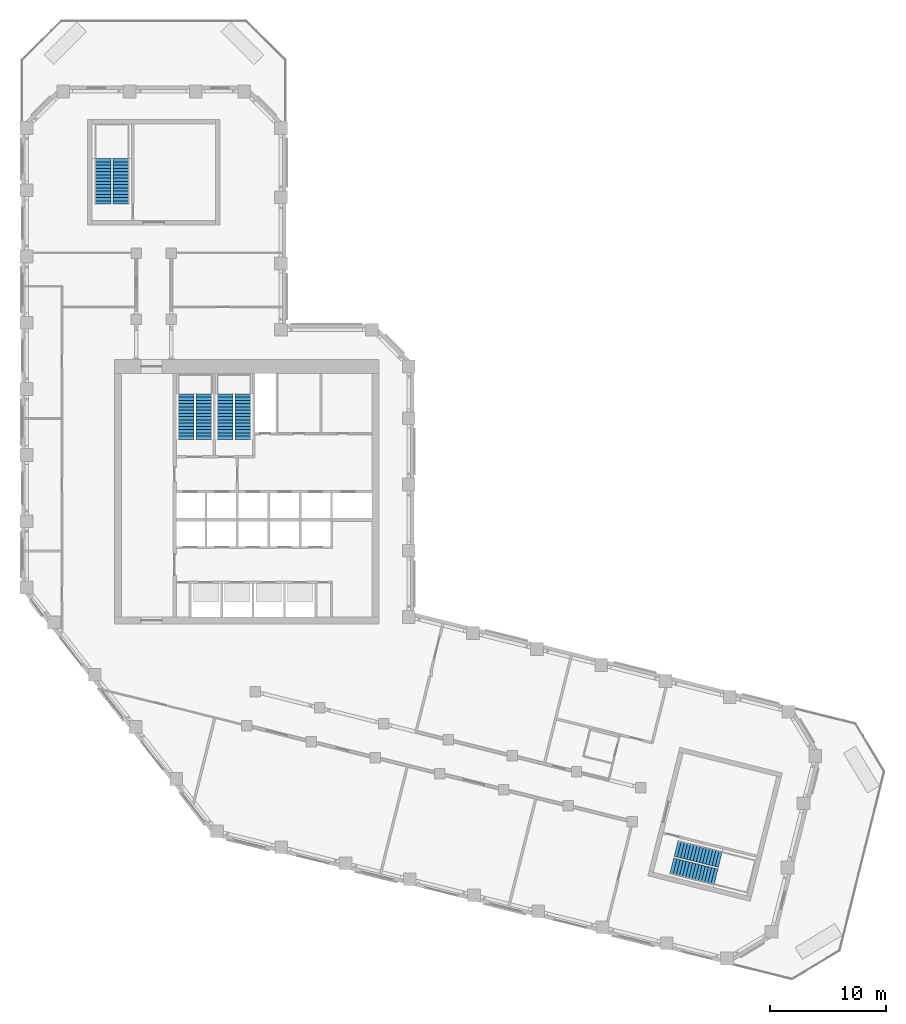
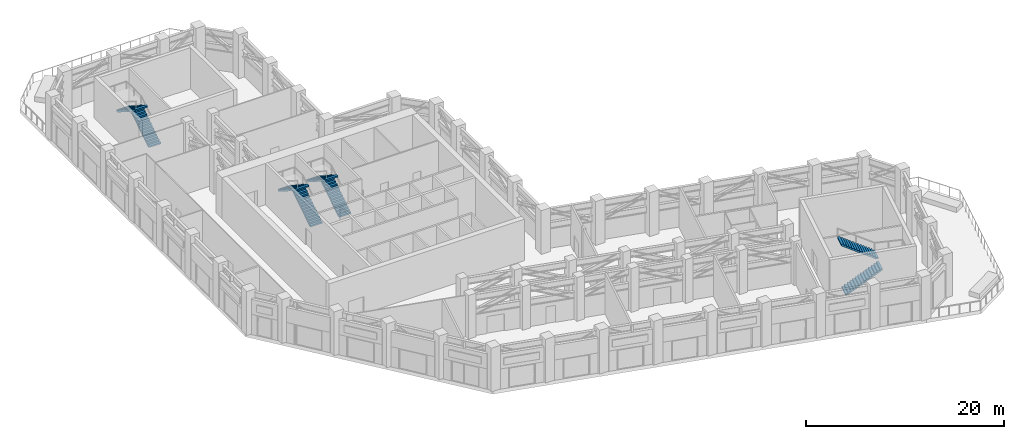
# One storey, part 18 of 21: 8 stair flights, 4 elements without a shape of their own.
"""IFC4 building model written with IfcOpenShell, lengths in metres."""

from ifc_helpers import new_model, si_unit, direction, frame, origin, place, context, subcontext, project, spatial, polyline, outline, extrude, material, type_object, element, aggregate, save


model = new_model("IFC4")

# Units and contexts
model_context = context("Model", 3, precision=1e-05, world=origin(), true_north=direction((0.0, 1.0)))
body_context = subcontext(model_context, "Body", "Model", "MODEL_VIEW")
ifc_project = project(units=[si_unit("LENGTHUNIT", "METRE"), si_unit("AREAUNIT", "SQUARE_METRE"), si_unit("VOLUMEUNIT", "CUBIC_METRE"), si_unit("PLANEANGLEUNIT", "RADIAN"), si_unit("MASSUNIT", "GRAM", prefix="KILO")], contexts=[model_context])

# Site, building, storey
site_placement = place(None, origin())
site = spatial("IfcSite", under=ifc_project, at=site_placement, CompositionType="ELEMENT")
building_placement = place(site_placement, origin())
building = spatial("IfcBuilding", under=site, at=building_placement, Name="Meshkara Civic Tower", CompositionType="ELEMENT")
storey_placement = place(building_placement, frame((0.0, 0.0, 284.39990234375)))
storey = spatial("IfcBuildingStorey", under=building, at=storey_placement, Name="L65", CompositionType="ELEMENT", Elevation=284.39990234375)

# Stair, stair flights
ifc_material_1 = material(Name="Precast concrete C40/50", Category="concrete")
stair_type = type_object("IfcStairType", Name="Exit stair half-turn 30 risers precast", PredefinedType="HALF_TURN_STAIR", material=ifc_material_1)
stair_1_placement = place(storey_placement, origin())
stair_1 = element("IfcStair", 1, at=stair_1_placement, inside=storey, type_object=stair_type, Name="L65 exit stair 1", PredefinedType="HALF_TURN_STAIR")
ifc_material_2 = material(Name="Precast concrete C40/50", Category="concrete")
stair_flight_type = type_object("IfcStairFlightType", Name="Exit stair flight 15 risers precast", PredefinedType="STRAIGHT", material=ifc_material_2)
stair_flight_1_placement = place(storey_placement, frame((15.72509765625, 30.0, 0.0), z_axis=(0.0, 0.0, 1.0), x_axis=(0.0, 1.0, 0.0)))
stair_flight_1 = element("IfcStairFlight", 2, at=stair_flight_1_placement, type_object=stair_flight_type, Name="ST1 flight 1", NumberOfRisers=15, NumberOfTreads=14, PredefinedType="STRAIGHT", RiserHeight=0.18, TreadLength=0.28, context=body_context, shape_type="SweptSolid", body=[
    extrude(outline(polyline([(0.0, 0.0), (0.0, 0.179931640625), (0.280029296875, 0.179931640625), (0.280029296875, 0.360107421875), (0.56005859375, 0.360107421875), (0.56005859375, 0.5400390625), (0.840087890625, 0.5400390625), (0.840087890625, 0.719970703125), (1.1201171875, 0.719970703125), (1.1201171875, 0.89990234375), (1.39990234375, 0.89990234375), (1.39990234375, 1.080078125), (1.679931640625, 1.080078125), (1.679931640625, 1.260009765625), (1.9599609375, 1.260009765625), (1.9599609375, 1.43994140625), (2.239990234375, 1.43994140625), (2.239990234375, 1.6201171875), (2.52001953125, 1.6201171875), (2.52001953125, 1.800048828125), (2.800048828125, 1.800048828125), (2.800048828125, 1.97998046875), (3.080078125, 1.97998046875), (3.080078125, 2.159912109375), (3.360107421875, 2.159912109375), (3.360107421875, 2.340087890625), (3.639892578125, 2.340087890625), (3.639892578125, 2.52001953125), (3.919921875, 2.52001953125), (3.919921875, 2.699951171875), (3.919921875, 2.341796875), (0.277099609375, 0.0), (0.0, 0.0)])), frame((0.0, 0.699951171875, 0.0), z_axis=(0.0, -1.0, 0.0), x_axis=(1.0, 0.0, 0.0)), (0.0, 0.0, 1.0), 1.39990234375),
])
stair_flight_2_placement = place(storey_placement, frame((14.175048828125, 33.919921875, 2.7001953125), z_axis=(0.0, 0.0, 1.0), x_axis=(0.0, -1.0, 0.0)))
stair_flight_2 = element("IfcStairFlight", 3, at=stair_flight_2_placement, type_object=stair_flight_type, Name="ST1 flight 2", NumberOfRisers=15, NumberOfTreads=14, PredefinedType="STRAIGHT", RiserHeight=0.18, TreadLength=0.28, context=body_context, shape_type="SweptSolid", body=[
    extrude(outline(polyline([(0.0, 0.0), (0.0, 0.179931640625), (0.280029296875, 0.179931640625), (0.280029296875, 0.360107421875), (0.56005859375, 0.360107421875), (0.56005859375, 0.5400390625), (0.840087890625, 0.5400390625), (0.840087890625, 0.719970703125), (1.1201171875, 0.719970703125), (1.1201171875, 0.89990234375), (1.39990234375, 0.89990234375), (1.39990234375, 1.080078125), (1.679931640625, 1.080078125), (1.679931640625, 1.260009765625), (1.9599609375, 1.260009765625), (1.9599609375, 1.43994140625), (2.239990234375, 1.43994140625), (2.239990234375, 1.6201171875), (2.52001953125, 1.6201171875), (2.52001953125, 1.800048828125), (2.800048828125, 1.800048828125), (2.800048828125, 1.97998046875), (3.080078125, 1.97998046875), (3.080078125, 2.159912109375), (3.360107421875, 2.159912109375), (3.360107421875, 2.340087890625), (3.639892578125, 2.340087890625), (3.639892578125, 2.52001953125), (3.919921875, 2.52001953125), (3.919921875, 2.699951171875), (3.919921875, 2.341796875), (0.277099609375, 0.0), (0.0, 0.0)])), frame((0.0, 0.699951171875, 0.0), z_axis=(0.0, -1.0, 0.0), x_axis=(1.0, 0.0, 0.0)), (0.0, 0.0, 1.0), 1.39990234375),
])
aggregate(stair_1, [stair_flight_1, stair_flight_2])

stair_2_placement = place(storey_placement, origin())
stair_2 = element("IfcStair", 4, at=stair_2_placement, inside=storey, type_object=stair_type, Name="L65 exit stair 2", PredefinedType="HALF_TURN_STAIR")
stair_flight_3_placement = place(storey_placement, frame((19.074951171875, 30.0, 0.0), z_axis=(0.0, 0.0, 1.0), x_axis=(0.0, 1.0, 0.0)))
stair_flight_3 = element("IfcStairFlight", 5, at=stair_flight_3_placement, type_object=stair_flight_type, Name="ST2 flight 1", NumberOfRisers=15, NumberOfTreads=14, PredefinedType="STRAIGHT", RiserHeight=0.18, TreadLength=0.28, context=body_context, shape_type="SweptSolid", body=[
    extrude(outline(polyline([(0.0, 0.0), (0.0, 0.179931640625), (0.280029296875, 0.179931640625), (0.280029296875, 0.360107421875), (0.56005859375, 0.360107421875), (0.56005859375, 0.5400390625), (0.840087890625, 0.5400390625), (0.840087890625, 0.719970703125), (1.1201171875, 0.719970703125), (1.1201171875, 0.89990234375), (1.39990234375, 0.89990234375), (1.39990234375, 1.080078125), (1.679931640625, 1.080078125), (1.679931640625, 1.260009765625), (1.9599609375, 1.260009765625), (1.9599609375, 1.43994140625), (2.239990234375, 1.43994140625), (2.239990234375, 1.6201171875), (2.52001953125, 1.6201171875), (2.52001953125, 1.800048828125), (2.800048828125, 1.800048828125), (2.800048828125, 1.97998046875), (3.080078125, 1.97998046875), (3.080078125, 2.159912109375), (3.360107421875, 2.159912109375), (3.360107421875, 2.340087890625), (3.639892578125, 2.340087890625), (3.639892578125, 2.52001953125), (3.919921875, 2.52001953125), (3.919921875, 2.699951171875), (3.919921875, 2.341796875), (0.277099609375, 0.0), (0.0, 0.0)])), frame((0.0, 0.699951171875, 0.0), z_axis=(0.0, -1.0, 0.0), x_axis=(1.0, 0.0, 0.0)), (0.0, 0.0, 1.0), 1.39990234375),
])
stair_flight_4_placement = place(storey_placement, frame((17.52490234375, 33.919921875, 2.7001953125), z_axis=(0.0, 0.0, 1.0), x_axis=(0.0, -1.0, 0.0)))
stair_flight_4 = element("IfcStairFlight", 6, at=stair_flight_4_placement, type_object=stair_flight_type, Name="ST2 flight 2", NumberOfRisers=15, NumberOfTreads=14, PredefinedType="STRAIGHT", RiserHeight=0.18, TreadLength=0.28, context=body_context, shape_type="SweptSolid", body=[
    extrude(outline(polyline([(0.0, 0.0), (0.0, 0.179931640625), (0.280029296875, 0.179931640625), (0.280029296875, 0.360107421875), (0.56005859375, 0.360107421875), (0.56005859375, 0.5400390625), (0.840087890625, 0.5400390625), (0.840087890625, 0.719970703125), (1.1201171875, 0.719970703125), (1.1201171875, 0.89990234375), (1.39990234375, 0.89990234375), (1.39990234375, 1.080078125), (1.679931640625, 1.080078125), (1.679931640625, 1.260009765625), (1.9599609375, 1.260009765625), (1.9599609375, 1.43994140625), (2.239990234375, 1.43994140625), (2.239990234375, 1.6201171875), (2.52001953125, 1.6201171875), (2.52001953125, 1.800048828125), (2.800048828125, 1.800048828125), (2.800048828125, 1.97998046875), (3.080078125, 1.97998046875), (3.080078125, 2.159912109375), (3.360107421875, 2.159912109375), (3.360107421875, 2.340087890625), (3.639892578125, 2.340087890625), (3.639892578125, 2.52001953125), (3.919921875, 2.52001953125), (3.919921875, 2.699951171875), (3.919921875, 2.341796875), (0.277099609375, 0.0), (0.0, 0.0)])), frame((0.0, 0.699951171875, 0.0), z_axis=(0.0, -1.0, 0.0), x_axis=(1.0, 0.0, 0.0)), (0.0, 0.0, 1.0), 1.39990234375),
])
aggregate(stair_2, [stair_flight_3, stair_flight_4])

stair_3_placement = place(storey_placement, origin())
stair_3 = element("IfcStair", 7, at=stair_3_placement, inside=storey, type_object=stair_type, Name="L65 exit stair A from L65", PredefinedType="HALF_TURN_STAIR")
stair_flight_5_placement = place(storey_placement, frame((8.574951171875, 50.27001953125, 0.0), z_axis=(0.0, 0.0, 1.0), x_axis=(0.0, 1.0, 0.0)))
stair_flight_5 = element("IfcStairFlight", 8, at=stair_flight_5_placement, type_object=stair_flight_type, Name="ESA5 flight 1", NumberOfRisers=15, NumberOfTreads=14, PredefinedType="STRAIGHT", RiserHeight=0.18, TreadLength=0.28, context=body_context, shape_type="SweptSolid", body=[
    extrude(outline(polyline([(0.0, 0.0), (0.0, 0.179931640625), (0.280029296875, 0.179931640625), (0.280029296875, 0.360107421875), (0.56005859375, 0.360107421875), (0.56005859375, 0.5400390625), (0.840087890625, 0.5400390625), (0.840087890625, 0.719970703125), (1.1201171875, 0.719970703125), (1.1201171875, 0.89990234375), (1.39990234375, 0.89990234375), (1.39990234375, 1.080078125), (1.679931640625, 1.080078125), (1.679931640625, 1.260009765625), (1.9599609375, 1.260009765625), (1.9599609375, 1.43994140625), (2.239990234375, 1.43994140625), (2.239990234375, 1.6201171875), (2.52001953125, 1.6201171875), (2.52001953125, 1.800048828125), (2.800048828125, 1.800048828125), (2.800048828125, 1.97998046875), (3.080078125, 1.97998046875), (3.080078125, 2.159912109375), (3.360107421875, 2.159912109375), (3.360107421875, 2.340087890625), (3.639892578125, 2.340087890625), (3.639892578125, 2.52001953125), (3.919921875, 2.52001953125), (3.919921875, 2.699951171875), (3.919921875, 2.341796875), (0.277099609375, 0.0), (0.0, 0.0)])), frame((0.0, 0.699951171875, 0.0), z_axis=(0.0, -1.0, 0.0), x_axis=(1.0, 0.0, 0.0)), (0.0, 0.0, 1.0), 1.39990234375),
])
stair_flight_6_placement = place(storey_placement, frame((7.02490234375, 54.18994140625, 2.7001953125), z_axis=(0.0, 0.0, 1.0), x_axis=(0.0, -1.0, 0.0)))
stair_flight_6 = element("IfcStairFlight", 9, at=stair_flight_6_placement, type_object=stair_flight_type, Name="ESA5 flight 2", NumberOfRisers=15, NumberOfTreads=14, PredefinedType="STRAIGHT", RiserHeight=0.18, TreadLength=0.28, context=body_context, shape_type="SweptSolid", body=[
    extrude(outline(polyline([(0.0, 0.0), (0.0, 0.179931640625), (0.280029296875, 0.179931640625), (0.280029296875, 0.360107421875), (0.56005859375, 0.360107421875), (0.56005859375, 0.5400390625), (0.840087890625, 0.5400390625), (0.840087890625, 0.719970703125), (1.1201171875, 0.719970703125), (1.1201171875, 0.89990234375), (1.39990234375, 0.89990234375), (1.39990234375, 1.080078125), (1.679931640625, 1.080078125), (1.679931640625, 1.260009765625), (1.9599609375, 1.260009765625), (1.9599609375, 1.43994140625), (2.239990234375, 1.43994140625), (2.239990234375, 1.6201171875), (2.52001953125, 1.6201171875), (2.52001953125, 1.800048828125), (2.800048828125, 1.800048828125), (2.800048828125, 1.97998046875), (3.080078125, 1.97998046875), (3.080078125, 2.159912109375), (3.360107421875, 2.159912109375), (3.360107421875, 2.340087890625), (3.639892578125, 2.340087890625), (3.639892578125, 2.52001953125), (3.919921875, 2.52001953125), (3.919921875, 2.699951171875), (3.919921875, 2.341796875), (0.277099609375, 0.0), (0.0, 0.0)])), frame((0.0, 0.699951171875, 0.0), z_axis=(0.0, -1.0, 0.0), x_axis=(1.0, 0.0, 0.0)), (0.0, 0.0, 1.0), 1.39990234375),
])
aggregate(stair_3, [stair_flight_5, stair_flight_6])

stair_4_placement = place(storey_placement, origin())
stair_4 = element("IfcStair", 10, at=stair_4_placement, inside=storey, type_object=stair_type, Name="L65 exit stair B from L65", PredefinedType="HALF_TURN_STAIR")
stair_flight_7_placement = place(storey_placement, frame((56.0068359375, -6.723876953125, 0.0), z_axis=(0.0, 0.0, 1.0), x_axis=(0.970260066579, -0.242064873955, 0.0)))
stair_flight_7 = element("IfcStairFlight", 11, at=stair_flight_7_placement, type_object=stair_flight_type, Name="ESB5 flight 1", NumberOfRisers=15, NumberOfTreads=14, PredefinedType="STRAIGHT", RiserHeight=0.18, TreadLength=0.28, context=body_context, shape_type="SweptSolid", body=[
    extrude(outline(polyline([(0.0, 0.0), (0.0, 0.179931640625), (0.280029296875, 0.179931640625), (0.280029296875, 0.360107421875), (0.56005859375, 0.360107421875), (0.56005859375, 0.5400390625), (0.840087890625, 0.5400390625), (0.840087890625, 0.719970703125), (1.1201171875, 0.719970703125), (1.1201171875, 0.89990234375), (1.39990234375, 0.89990234375), (1.39990234375, 1.080078125), (1.679931640625, 1.080078125), (1.679931640625, 1.260009765625), (1.9599609375, 1.260009765625), (1.9599609375, 1.43994140625), (2.239990234375, 1.43994140625), (2.239990234375, 1.6201171875), (2.52001953125, 1.6201171875), (2.52001953125, 1.800048828125), (2.800048828125, 1.800048828125), (2.800048828125, 1.97998046875), (3.080078125, 1.97998046875), (3.080078125, 2.159912109375), (3.360107421875, 2.159912109375), (3.360107421875, 2.340087890625), (3.639892578125, 2.340087890625), (3.639892578125, 2.52001953125), (3.919921875, 2.52001953125), (3.919921875, 2.699951171875), (3.919921875, 2.341796875), (0.277099609375, 0.0), (0.0, 0.0)])), frame((0.0, 0.699951171875, 0.0), z_axis=(0.0, -1.0, 0.0), x_axis=(1.0, 0.0, 0.0)), (0.0, 0.0, 1.0), 1.39990234375),
])
stair_flight_8_placement = place(storey_placement, frame((60.185302734375, -6.1689453125, 2.7001953125), z_axis=(0.0, 0.0, 1.0), x_axis=(-0.970260066579, 0.242064873955, 0.0)))
stair_flight_8 = element("IfcStairFlight", 12, at=stair_flight_8_placement, type_object=stair_flight_type, Name="ESB5 flight 2", NumberOfRisers=15, NumberOfTreads=14, PredefinedType="STRAIGHT", RiserHeight=0.18, TreadLength=0.28, context=body_context, shape_type="SweptSolid", body=[
    extrude(outline(polyline([(0.0, 0.0), (0.0, 0.179931640625), (0.280029296875, 0.179931640625), (0.280029296875, 0.360107421875), (0.56005859375, 0.360107421875), (0.56005859375, 0.5400390625), (0.840087890625, 0.5400390625), (0.840087890625, 0.719970703125), (1.1201171875, 0.719970703125), (1.1201171875, 0.89990234375), (1.39990234375, 0.89990234375), (1.39990234375, 1.080078125), (1.679931640625, 1.080078125), (1.679931640625, 1.260009765625), (1.9599609375, 1.260009765625), (1.9599609375, 1.43994140625), (2.239990234375, 1.43994140625), (2.239990234375, 1.6201171875), (2.52001953125, 1.6201171875), (2.52001953125, 1.800048828125), (2.800048828125, 1.800048828125), (2.800048828125, 1.97998046875), (3.080078125, 1.97998046875), (3.080078125, 2.159912109375), (3.360107421875, 2.159912109375), (3.360107421875, 2.340087890625), (3.639892578125, 2.340087890625), (3.639892578125, 2.52001953125), (3.919921875, 2.52001953125), (3.919921875, 2.699951171875), (3.919921875, 2.341796875), (0.277099609375, 0.0), (0.0, 0.0)])), frame((0.0, 0.699951171875, 0.0), z_axis=(0.0, -1.0, 0.0), x_axis=(1.0, 0.0, 0.0)), (0.0, 0.0, 1.0), 1.39990234375),
])
aggregate(stair_4, [stair_flight_7, stair_flight_8])

save(model, "model.ifc")
